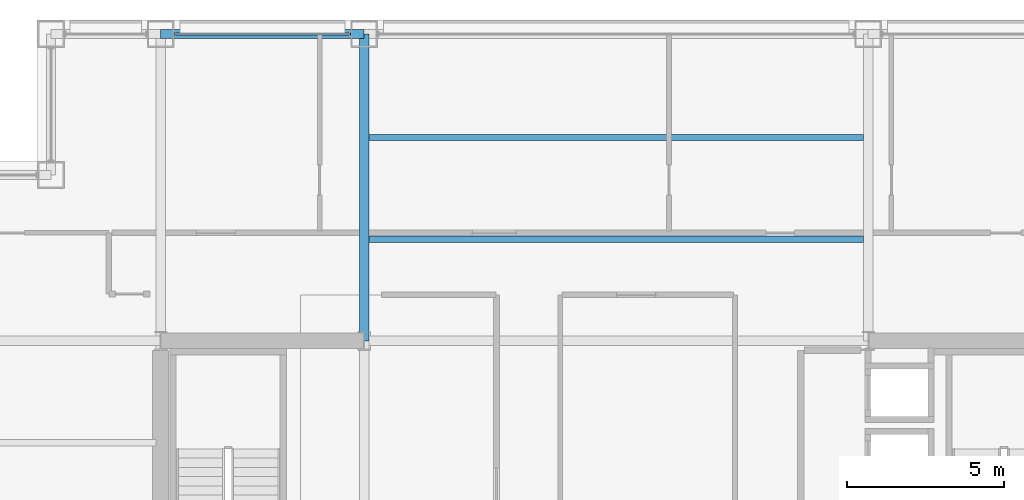
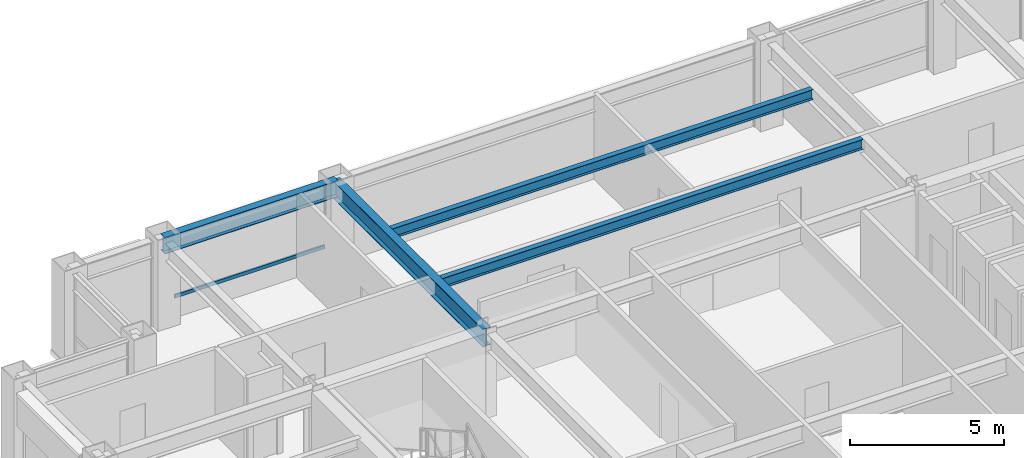
# One storey, part 18 of 30: 4 beams, 1 member, 1 element without a shape of its own.
"""IFC4 building model written with IfcOpenShell, lengths in metres."""

from ifc_helpers import new_model, si_unit, direction, frame, origin, origin_2d, place, context, subcontext, project, spatial, hollow_rectangle, i_section, extrude, material, layer, layer_set, material_profile, profile_set, type_object, element, aggregate, save


model = new_model("IFC4")

# Units and contexts
model_context = context("Model", 3, precision=1e-05, world=origin(), true_north=direction((0.0, 1.0)))
body_context = subcontext(model_context, "Body", "Model", "MODEL_VIEW")
ifc_project = project(units=[si_unit("LENGTHUNIT", "METRE"), si_unit("AREAUNIT", "SQUARE_METRE"), si_unit("VOLUMEUNIT", "CUBIC_METRE"), si_unit("PLANEANGLEUNIT", "RADIAN"), si_unit("MASSUNIT", "GRAM", prefix="KILO")], contexts=[model_context])

# Site, building, storey
site_placement = place(None, origin())
site = spatial("IfcSite", under=ifc_project, at=site_placement, CompositionType="ELEMENT")
building_placement = place(site_placement, origin())
building = spatial("IfcBuilding", under=site, at=building_placement, Name="Brelmoor Portico Tower", CompositionType="ELEMENT")
storey_placement = place(building_placement, frame((0.0, 0.0, 102.60009765625)))
storey = spatial("IfcBuildingStorey", under=building, at=storey_placement, Name="L26", CompositionType="ELEMENT", Elevation=102.60009765625)

# Beams
ifc_material_1 = material(Name="Steel Q355B", Category="steel")
ifc_material_profile_1 = material_profile(ifc_material_1, i_section(OverallWidth=0.199951171875, OverallDepth=0.39990234375, WebThickness=0.008056640625, FlangeThickness=0.012939453125, at=origin_2d()), Name="HN 400x200x8x13")
ifc_profile_set_1 = profile_set([ifc_material_profile_1], Name="Steel Q355B")
beam_type_1 = type_object("IfcBeamType", Name="BM-JS-400", PredefinedType="JOIST", material=ifc_profile_set_1)
for number, where, z_axis, x_axis, name in (
    (1, (-7.89990234375, 13.0, 3.199951171875), (1.0, 0.0, 0.0), (0.0, 1.0, 0.0), "L26 Secondary Composite Joist JS-C03"),
    (2, (-7.89990234375, 16.25, 3.199951171875), (1.0, 0.0, 0.0), (0.0, 1.0, 0.0), "L26 Secondary Composite Joist JS-C04"),
):
    element("IfcBeam", number, at=place(storey_placement, frame(where, z_axis=z_axis, x_axis=x_axis)), inside=storey, type_object=beam_type_1, Name=name, PredefinedType="JOIST", context=body_context, shape_type="SweptSolid", body=[
        extrude(i_section(OverallWidth=0.199951171875, OverallDepth=0.39990234375, WebThickness=0.008056640625, FlangeThickness=0.012939453125, at=origin_2d()), origin(), (0.0, 0.0, 1.0), 15.7998046875),
    ])
ifc_material_profile_2 = material_profile(ifc_material_1, i_section(OverallWidth=0.300048828125, OverallDepth=0.699951171875, WebThickness=0.012939453125, FlangeThickness=0.02392578125, at=origin_2d()), Name="HN 700x300x13x24")
ifc_profile_set_2 = profile_set([ifc_material_profile_2], Name="Steel Q355B")
beam_type_2 = type_object("IfcBeamType", Name="BM-PG-700", PredefinedType="BEAM", material=ifc_profile_set_2)
beam_1_placement = place(storey_placement, frame((-8.050048828125, 9.75, 3.0498046875), z_axis=(0.0, 1.0, 0.0), x_axis=(-1.0, 0.0, 0.0)))
element("IfcBeam", 3, at=beam_1_placement, inside=storey, type_object=beam_type_2, Name="L26 Primary Floor Girder PG-07", PredefinedType="BEAM", context=body_context, shape_type="SweptSolid", body=[
    extrude(i_section(OverallWidth=0.300048828125, OverallDepth=0.699951171875, WebThickness=0.012939453125, FlangeThickness=0.02392578125, at=origin_2d()), origin(), (0.0, 0.0, 1.0), 9.800048828125),
])
ifc_material_profile_3 = material_profile(ifc_material_1, i_section(OverallWidth=0.280029296875, OverallDepth=0.64990234375, WebThickness=0.012939453125, FlangeThickness=0.02197265625, at=origin_2d()), Name="HN 650x280x13x22")
ifc_profile_set_3 = profile_set([ifc_material_profile_3], Name="Steel Q355B")
beam_type_3 = type_object("IfcBeamType", Name="BM-SP-650", PredefinedType="SPANDREL", material=ifc_profile_set_3)
beam_2_placement = place(storey_placement, frame((-14.550048828125, 19.550048828125, 3.074951171875), z_axis=(1.0, 0.0, 0.0), x_axis=(0.0, 1.0, 0.0)))
element("IfcBeam", 4, at=beam_2_placement, inside=storey, type_object=beam_type_3, Name="L26 Perimeter Spandrel Beam SP-11", PredefinedType="SPANDREL", context=body_context, shape_type="SweptSolid", body=[
    extrude(i_section(OverallWidth=0.280029296875, OverallDepth=0.64990234375, WebThickness=0.012939453125, FlangeThickness=0.02197265625, at=origin_2d()), origin(), (0.0, 0.0, 1.0), 6.5),
])

# Curtain wall, member
ifc_material_2 = material(Name="Anodised Aluminium Alloy 6063-T6", Category="aluminium")
ifc_layer = layer(ifc_material_2, 0.179931640625)
ifc_layer_set = layer_set([ifc_layer], Name="Anodised Aluminium Alloy 6063-T6")
curtain_wall_type = type_object("IfcCurtainWallType", Name="CW-TOWER-Z2", PredefinedType="NOTDEFINED", material=ifc_layer_set)
curtain_wall_placement = place(storey_placement, origin())
curtain_wall = element("IfcCurtainWall", 5, at=curtain_wall_placement, inside=storey, type_object=curtain_wall_type, Name="L26 Curtain Wall CW-L26-02-2", PredefinedType="NOTDEFINED")
ifc_material_profile_4 = material_profile(ifc_material_2, hollow_rectangle(XDim=0.06494140625, YDim=0.139892578125, WallThickness=0.00390625, at=origin_2d()), Name="ALU TRANSOM 65x140")
ifc_profile_set_4 = profile_set([ifc_material_profile_4], Name="Anodised Aluminium Alloy 6063-T6")
member_type = type_object("IfcMemberType", Name="MB-CW-TRAN-140", PredefinedType="USERDEFINED", material=ifc_profile_set_4)
member_placement = place(storey_placement, frame((-14.114990234375, 19.550048828125, 0.849853515625), z_axis=(1.0, 0.0, 0.0), x_axis=(0.0, 1.0, 0.0)))
member = element("IfcMember", 6, at=member_placement, type_object=member_type, Name="CW-L26-02-2 Transom 1-00", ObjectType="TRANSOM", PredefinedType="USERDEFINED", context=body_context, shape_type="SweptSolid", body=[
    extrude(hollow_rectangle(XDim=0.06494140625, YDim=0.139892578125, WallThickness=0.00390625, at=origin_2d()), origin(), (0.0, 0.0, 1.0), 5.6298828125),
])
aggregate(curtain_wall, [member])

save(model, "model.ifc")
